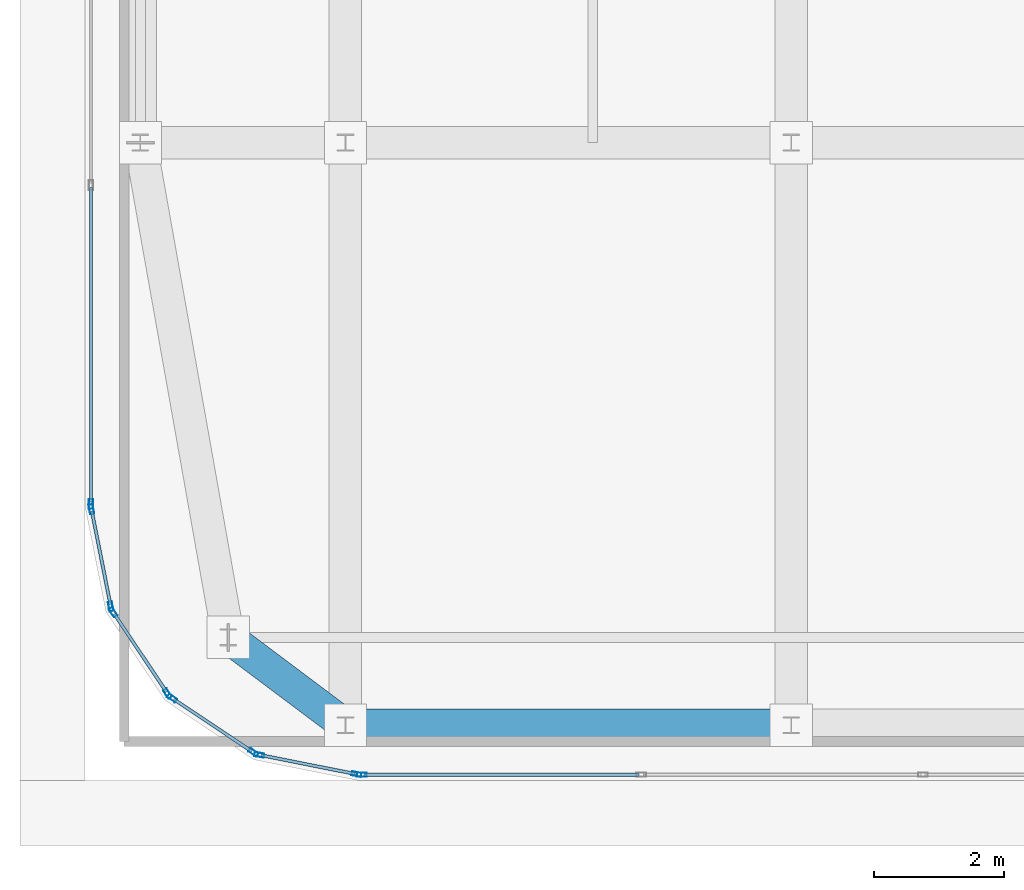
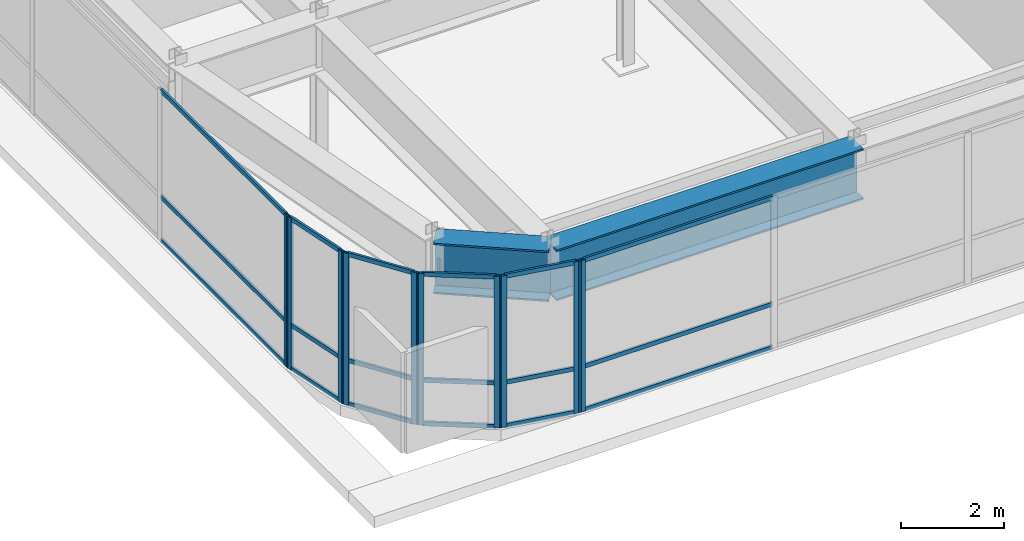
# One storey, part 5 of 35: 28 members, 2 beams, 6 elements without a shape of their own.
"""IFC4 building model written with IfcOpenShell, lengths in metres."""

from ifc_helpers import new_model, si_unit, direction, frame, origin, origin_2d, place, context, subcontext, project, spatial, hollow_rectangle, i_section, extrude, source, transform, mapped, material, layer, layer_set, material_profile, profile_set, type_object, type_shapes, element, aggregate, save


model = new_model("IFC4")

# Units and contexts
model_context = context("Model", 3, precision=1e-05, world=origin(), true_north=direction((0.0, 1.0)))
body_context = subcontext(model_context, "Body", "Model", "MODEL_VIEW")
ifc_project = project(units=[si_unit("LENGTHUNIT", "METRE"), si_unit("AREAUNIT", "SQUARE_METRE"), si_unit("VOLUMEUNIT", "CUBIC_METRE"), si_unit("PLANEANGLEUNIT", "RADIAN"), si_unit("MASSUNIT", "GRAM", prefix="KILO")], contexts=[model_context])

# Site, building, storey
site_placement = place(None, origin())
site = spatial("IfcSite", under=ifc_project, at=site_placement, CompositionType="ELEMENT")
building_placement = place(site_placement, origin())
building = spatial("IfcBuilding", under=site, at=building_placement, Name="Tolvann Quenvar Hotel", CompositionType="ELEMENT")
storey_placement = place(building_placement, frame((0.0, 0.0, 290.949951171875)))
storey = spatial("IfcBuildingStorey", under=building, at=storey_placement, Name="L77", CompositionType="ELEMENT", Elevation=290.949951171875)

# Beams
ifc_material_1 = material(Name="Steel Grade 350", Category="steel")
ifc_material_profile_1 = material_profile(ifc_material_1, i_section(OverallWidth=0.5, OverallDepth=1.199951171875, WebThickness=0.01611328125, FlangeThickness=0.0400390625, at=origin_2d()), Name="1200WB455")
ifc_profile_set_1 = profile_set([ifc_material_profile_1], Name="Steel Grade 350")
beam_type = type_object("IfcBeamType", Name="BM_TG_1200WB455", PredefinedType="USERDEFINED", material=ifc_profile_set_1)
shared_shape_1 = source(origin(), body_context, "Body", "SweptSolid", [
    extrude(i_section(OverallWidth=0.5, OverallDepth=1.199951171875, WebThickness=0.01611328125, FlangeThickness=0.0400390625, at=origin_2d()), origin(), (0.0, 0.0, 1.0), 6.849853515625),
])
beam_1_placement = place(storey_placement, frame((7.60009765625, 7.050048828125, 2.97998046875), z_axis=(1.0, 0.0, 0.0), x_axis=(0.0, 1.0, 0.0)))
element("IfcBeam", 1, at=beam_1_placement, inside=storey, type_object=beam_type, Name="BM-L77-EW-2-C2-D2", ObjectType="TRANSFER GIRDER", PredefinedType="USERDEFINED", context=body_context, shape_type="MappedRepresentation", body=[
    mapped(shared_shape_1, transform((0.0, 0.0, 0.0), x_axis=(1.0, 0.0, 0.0), y_axis=(0.0, 1.0, 0.0), z_axis=(0.0, 0.0, 1.0), scale=1.0)),
])
shared_shape_2 = source(origin(), body_context, "Body", "SweptSolid", [
    extrude(i_section(OverallWidth=0.5, OverallDepth=1.199951171875, WebThickness=0.01611328125, FlangeThickness=0.0400390625, at=origin_2d()), origin(), (0.0, 0.0, 1.0), 2.25),
])
type_shapes(beam_type, [shared_shape_1, shared_shape_2])
beam_2_placement = place(storey_placement, frame((5.800048828125, 8.39990234375, 2.97998046875), z_axis=(0.800039061652, -0.599947914265, 0.0), x_axis=(0.599947914265, 0.800039061652, 0.0)))
element("IfcBeam", 2, at=beam_2_placement, inside=storey, type_object=beam_type, Name="BM-L77-EW-2-B2-C2", ObjectType="TRANSFER GIRDER", PredefinedType="USERDEFINED", context=body_context, shape_type="MappedRepresentation", body=[
    mapped(shared_shape_2, transform((0.0, 0.0, 0.0), x_axis=(1.0, 0.0, 0.0), y_axis=(0.0, 1.0, 0.0), z_axis=(0.0, 0.0, 1.0), scale=1.0)),
])

# Curtain wall, members
ifc_material_2 = material(Name="Thermally broken anodised architectural aluminium 6063-T6 and laminated low-E glass", Category="aluminium")
ifc_layer = layer(ifc_material_2, 0.179931640625)
ifc_layer_set = layer_set([ifc_layer], Name="Thermally broken anodised architectural aluminium 6063-T6 and laminated low-E glass")
curtain_wall_type = type_object("IfcCurtainWallType", Name="CW_SYS_LANT_06", PredefinedType="USERDEFINED", material=ifc_layer_set)
curtain_wall_1_placement = place(storey_placement, origin())
curtain_wall_1 = element("IfcCurtainWall", 3, at=curtain_wall_1_placement, inside=storey, type_object=curtain_wall_type, Name="Curtain Wall CW-LANT-06 (CWR-L77-E01)", ObjectType="UNITISED CURTAIN WALL", PredefinedType="USERDEFINED")
ifc_material_3 = material(Name="Anodised architectural aluminium 6063-T6 framing", Category="aluminium")
ifc_material_profile_2 = material_profile(ifc_material_3, hollow_rectangle(XDim=0.06494140625, YDim=0.14990234375, WallThickness=0.00390625, at=origin_2d()), Name="150x65x4RHS")
ifc_profile_set_2 = profile_set([ifc_material_profile_2], Name="Anodised architectural aluminium 6063-T6 framing")
member_type_1 = type_object("IfcMemberType", Name="CW_MULL_150x65", PredefinedType="MULLION", material=ifc_profile_set_2)
shared_shape_3 = source(origin(), body_context, "Body", "SweptSolid", [
    extrude(hollow_rectangle(XDim=0.06494140625, YDim=0.14990234375, WallThickness=0.00390625, at=origin_2d()), origin(), (0.0, 0.0, 1.0), 3.580078125),
])
type_shapes(member_type_1, [shared_shape_3])
member_1_placement = place(storey_placement, frame((4.03173828125, 8.786865234375, 0.0), z_axis=(0.0, 0.0, 1.0), x_axis=(0.831412452193, 0.555655769644, 0.0)))
member_1 = element("IfcMember", 4, at=member_1_placement, type_object=member_type_1, Name="CW-LANT-06 mullion 1", PredefinedType="MULLION", context=body_context, shape_type="MappedRepresentation", body=[
    mapped(shared_shape_3, transform((0.0, 0.0, 0.0), x_axis=(1.0, 0.0, 0.0), y_axis=(0.0, 1.0, 0.0), z_axis=(0.0, 0.0, 1.0), scale=1.0)),
])
member_2_placement = place(storey_placement, frame((4.86767578125, 7.5361328125, 0.0), z_axis=(0.0, 0.0, 1.0), x_axis=(0.831412452193, 0.555655769644, 0.0)))
member_2 = element("IfcMember", 5, at=member_2_placement, type_object=member_type_1, Name="CW-LANT-06 mullion 2", PredefinedType="MULLION", context=body_context, shape_type="MappedRepresentation", body=[
    mapped(shared_shape_3, transform((0.0, 0.0, 0.0), x_axis=(1.0, 0.0, 0.0), y_axis=(0.0, 1.0, 0.0), z_axis=(0.0, 0.0, 1.0), scale=1.0)),
])

curtain_wall_2_placement = place(storey_placement, origin())
curtain_wall_2 = element("IfcCurtainWall", 6, at=curtain_wall_2_placement, inside=storey, type_object=curtain_wall_type, Name="Curtain Wall CW-LANT-06 (CWR-L77-E02)", ObjectType="UNITISED CURTAIN WALL", PredefinedType="USERDEFINED")
member_3_placement = place(storey_placement, frame((4.936279296875, 7.467529296875, 0.0), z_axis=(0.0, 0.0, 1.0), x_axis=(0.555655769644, 0.831412452193, 0.0)))
member_3 = element("IfcMember", 7, at=member_3_placement, type_object=member_type_1, Name="CW-LANT-06 mullion 1", PredefinedType="MULLION", context=body_context, shape_type="MappedRepresentation", body=[
    mapped(shared_shape_3, transform((0.0, 0.0, 0.0), x_axis=(1.0, 0.0, 0.0), y_axis=(0.0, 1.0, 0.0), z_axis=(0.0, 0.0, 1.0), scale=1.0)),
])
member_4_placement = place(storey_placement, frame((6.186767578125, 6.6318359375, 0.0), z_axis=(0.0, 0.0, 1.0), x_axis=(0.555655769644, 0.831412452193, 0.0)))
member_4 = element("IfcMember", 8, at=member_4_placement, type_object=member_type_1, Name="CW-LANT-06 mullion 2", PredefinedType="MULLION", context=body_context, shape_type="MappedRepresentation", body=[
    mapped(shared_shape_3, transform((0.0, 0.0, 0.0), x_axis=(1.0, 0.0, 0.0), y_axis=(0.0, 1.0, 0.0), z_axis=(0.0, 0.0, 1.0), scale=1.0)),
])

curtain_wall_3_placement = place(storey_placement, origin())
curtain_wall_3 = element("IfcCurtainWall", 9, at=curtain_wall_3_placement, inside=storey, type_object=curtain_wall_type, Name="Curtain Wall CW-LANT-06 (CWR-L77-E03)", ObjectType="UNITISED CURTAIN WALL", PredefinedType="USERDEFINED")
member_5_placement = place(storey_placement, frame((6.2763671875, 6.5947265625, 0.0), z_axis=(0.0, 0.0, 1.0), x_axis=(0.195061569369, 0.980790999222, 0.0)))
member_5 = element("IfcMember", 10, at=member_5_placement, type_object=member_type_1, Name="CW-LANT-06 mullion 1", PredefinedType="MULLION", context=body_context, shape_type="MappedRepresentation", body=[
    mapped(shared_shape_3, transform((0.0, 0.0, 0.0), x_axis=(1.0, 0.0, 0.0), y_axis=(0.0, 1.0, 0.0), z_axis=(0.0, 0.0, 1.0), scale=1.0)),
])
member_6_placement = place(storey_placement, frame((7.768798828125, 6.2978515625, 0.0), z_axis=(0.0, 0.0, 1.0), x_axis=(0.195061569369, 0.980790999222, 0.0)))
member_6 = element("IfcMember", 11, at=member_6_placement, type_object=member_type_1, Name="CW-LANT-06 mullion 2", PredefinedType="MULLION", context=body_context, shape_type="MappedRepresentation", body=[
    mapped(shared_shape_3, transform((0.0, 0.0, 0.0), x_axis=(1.0, 0.0, 0.0), y_axis=(0.0, 1.0, 0.0), z_axis=(0.0, 0.0, 1.0), scale=1.0)),
])

# Curtain wall, member
curtain_wall_4_placement = place(storey_placement, origin())
curtain_wall_4 = element("IfcCurtainWall", 12, at=curtain_wall_4_placement, inside=storey, type_object=curtain_wall_type, Name="Curtain Wall CW-LANT-06 (CWR-L77-E04)", ObjectType="UNITISED CURTAIN WALL", PredefinedType="USERDEFINED")
member_7_placement = place(storey_placement, frame((7.849609375, 6.2900390625, 0.0), z_axis=(0.0, 0.0, 1.0), x_axis=(0.0, 1.0, 0.0)))
member_7 = element("IfcMember", 13, at=member_7_placement, type_object=member_type_1, Name="CW-LANT-06 mullion 1", PredefinedType="MULLION", context=body_context, shape_type="MappedRepresentation", body=[
    mapped(shared_shape_3, transform((0.0, 0.0, 0.0), x_axis=(1.0, 0.0, 0.0), y_axis=(0.0, 1.0, 0.0), z_axis=(0.0, 0.0, 1.0), scale=1.0)),
])

curtain_wall_5_placement = place(storey_placement, origin())
curtain_wall_5 = element("IfcCurtainWall", 14, at=curtain_wall_5_placement, inside=storey, type_object=curtain_wall_type, Name="Curtain Wall CW-LANT-06 (CWR-L77-E19)", ObjectType="UNITISED CURTAIN WALL", PredefinedType="USERDEFINED")
member_8_placement = place(storey_placement, frame((3.68994140625, 10.44970703125, 0.0), z_axis=(0.0, 0.0, 1.0), x_axis=(1.0, 0.0, 0.0)))
member_8 = element("IfcMember", 15, at=member_8_placement, type_object=member_type_1, Name="CW-LANT-06 mullion 7", PredefinedType="MULLION", context=body_context, shape_type="MappedRepresentation", body=[
    mapped(shared_shape_3, transform((0.0, 0.0, 0.0), x_axis=(1.0, 0.0, 0.0), y_axis=(0.0, 1.0, 0.0), z_axis=(0.0, 0.0, 1.0), scale=1.0)),
])

# Curtain wall, members
curtain_wall_6_placement = place(storey_placement, origin())
curtain_wall_6 = element("IfcCurtainWall", 16, at=curtain_wall_6_placement, inside=storey, type_object=curtain_wall_type, Name="Curtain Wall CW-LANT-06 (CWR-L77-E20)", ObjectType="UNITISED CURTAIN WALL", PredefinedType="USERDEFINED")
member_9_placement = place(storey_placement, frame((3.697998046875, 10.36865234375, 0.0), z_axis=(0.0, 0.0, 1.0), x_axis=(0.980790999222, 0.195061569369, 0.0)))
member_9 = element("IfcMember", 17, at=member_9_placement, type_object=member_type_1, Name="CW-LANT-06 mullion 1", PredefinedType="MULLION", context=body_context, shape_type="MappedRepresentation", body=[
    mapped(shared_shape_3, transform((0.0, 0.0, 0.0), x_axis=(1.0, 0.0, 0.0), y_axis=(0.0, 1.0, 0.0), z_axis=(0.0, 0.0, 1.0), scale=1.0)),
])
member_10_placement = place(storey_placement, frame((3.994873046875, 8.876220703125, 0.0), z_axis=(0.0, 0.0, 1.0), x_axis=(0.980790999222, 0.195061569369, 0.0)))
member_10 = element("IfcMember", 18, at=member_10_placement, type_object=member_type_1, Name="CW-LANT-06 mullion 2", PredefinedType="MULLION", context=body_context, shape_type="MappedRepresentation", body=[
    mapped(shared_shape_3, transform((0.0, 0.0, 0.0), x_axis=(1.0, 0.0, 0.0), y_axis=(0.0, 1.0, 0.0), z_axis=(0.0, 0.0, 1.0), scale=1.0)),
])

# Member
ifc_material_profile_3 = material_profile(ifc_material_3, hollow_rectangle(XDim=0.050048828125, YDim=0.10009765625, WallThickness=0.0029296875, at=origin_2d()), Name="100x50x3RHS")
ifc_profile_set_3 = profile_set([ifc_material_profile_3], Name="Anodised architectural aluminium 6063-T6 framing")
member_type_2 = type_object("IfcMemberType", Name="CW_TRAN_100x50", PredefinedType="USERDEFINED", material=ifc_profile_set_3)
shared_shape_4 = source(origin(), body_context, "Body", "SweptSolid", [
    extrude(hollow_rectangle(XDim=0.050048828125, YDim=0.10009765625, WallThickness=0.0029296875, at=origin_2d()), origin(), (0.0, 0.0, 1.0), 1.439208984375),
])
member_11_placement = place(storey_placement, frame((4.0498046875, 8.759765625, 0.025146484375), z_axis=(0.555717578985, -0.831371139989, 0.0), x_axis=(0.831371139989, 0.555717578985, 0.0)))
member_11 = element("IfcMember", 19, at=member_11_placement, type_object=member_type_2, Name="CW-LANT-06 transom 1.1", ObjectType="TRANSOM", PredefinedType="USERDEFINED", context=body_context, shape_type="MappedRepresentation", body=[
    mapped(shared_shape_4, transform((0.0, 0.0, 0.0), x_axis=(1.0, 0.0, 0.0), y_axis=(0.0, 1.0, 0.0), z_axis=(0.0, 0.0, 1.0), scale=1.0)),
])

member_12_placement = place(storey_placement, frame((4.0498046875, 8.759765625, 1.050048828125), z_axis=(0.555717578985, -0.831371139989, 0.0), x_axis=(0.831371139989, 0.555717578985, 0.0)))
member_12 = element("IfcMember", 20, at=member_12_placement, type_object=member_type_2, Name="CW-LANT-06 transom 1.2", ObjectType="TRANSOM", PredefinedType="USERDEFINED", context=body_context, shape_type="MappedRepresentation", body=[
    mapped(shared_shape_4, transform((0.0, 0.0, 0.0), x_axis=(1.0, 0.0, 0.0), y_axis=(0.0, 1.0, 0.0), z_axis=(0.0, 0.0, 1.0), scale=1.0)),
])

member_13_placement = place(storey_placement, frame((4.0498046875, 8.759765625, 3.554931640625), z_axis=(0.555717578985, -0.831371139989, 0.0), x_axis=(0.831371139989, 0.555717578985, 0.0)))
member_13 = element("IfcMember", 21, at=member_13_placement, type_object=member_type_2, Name="CW-LANT-06 transom 1.3", ObjectType="TRANSOM", PredefinedType="USERDEFINED", context=body_context, shape_type="MappedRepresentation", body=[
    mapped(shared_shape_4, transform((0.0, 0.0, 0.0), x_axis=(1.0, 0.0, 0.0), y_axis=(0.0, 1.0, 0.0), z_axis=(0.0, 0.0, 1.0), scale=1.0)),
])

aggregate(curtain_wall_1, [member_1, member_2, member_11, member_12, member_13])

member_14_placement = place(storey_placement, frame((4.963134765625, 7.449462890625, 0.025146484375), z_axis=(0.831449510818, -0.555600315839, 0.0), x_axis=(0.555600315839, 0.831449510818, 0.0)))
member_14 = element("IfcMember", 22, at=member_14_placement, type_object=member_type_2, Name="CW-LANT-06 transom 1.1", ObjectType="TRANSOM", PredefinedType="USERDEFINED", context=body_context, shape_type="MappedRepresentation", body=[
    mapped(shared_shape_4, transform((0.0, 0.0, 0.0), x_axis=(1.0, 0.0, 0.0), y_axis=(0.0, 1.0, 0.0), z_axis=(0.0, 0.0, 1.0), scale=1.0)),
])

member_15_placement = place(storey_placement, frame((4.963134765625, 7.449462890625, 1.050048828125), z_axis=(0.831449510818, -0.555600315839, 0.0), x_axis=(0.555600315839, 0.831449510818, 0.0)))
member_15 = element("IfcMember", 23, at=member_15_placement, type_object=member_type_2, Name="CW-LANT-06 transom 1.2", ObjectType="TRANSOM", PredefinedType="USERDEFINED", context=body_context, shape_type="MappedRepresentation", body=[
    mapped(shared_shape_4, transform((0.0, 0.0, 0.0), x_axis=(1.0, 0.0, 0.0), y_axis=(0.0, 1.0, 0.0), z_axis=(0.0, 0.0, 1.0), scale=1.0)),
])

member_16_placement = place(storey_placement, frame((4.963134765625, 7.449462890625, 3.554931640625), z_axis=(0.831449510818, -0.555600315839, 0.0), x_axis=(0.555600315839, 0.831449510818, 0.0)))
member_16 = element("IfcMember", 24, at=member_16_placement, type_object=member_type_2, Name="CW-LANT-06 transom 1.3", ObjectType="TRANSOM", PredefinedType="USERDEFINED", context=body_context, shape_type="MappedRepresentation", body=[
    mapped(shared_shape_4, transform((0.0, 0.0, 0.0), x_axis=(1.0, 0.0, 0.0), y_axis=(0.0, 1.0, 0.0), z_axis=(0.0, 0.0, 1.0), scale=1.0)),
])

aggregate(curtain_wall_2, [member_3, member_4, member_14, member_15, member_16])

shared_shape_5 = source(origin(), body_context, "Body", "SweptSolid", [
    extrude(hollow_rectangle(XDim=0.050048828125, YDim=0.10009765625, WallThickness=0.0029296875, at=origin_2d()), origin(), (0.0, 0.0, 1.0), 1.456787109375),
])
member_17_placement = place(storey_placement, frame((6.30810546875, 6.58837890625, 0.025146484375), z_axis=(0.980786408364, -0.195084651288, 0.0), x_axis=(0.195084651288, 0.980786408364, 0.0)))
member_17 = element("IfcMember", 25, at=member_17_placement, type_object=member_type_2, Name="CW-LANT-06 transom 1.1", ObjectType="TRANSOM", PredefinedType="USERDEFINED", context=body_context, shape_type="MappedRepresentation", body=[
    mapped(shared_shape_5, transform((0.0, 0.0, 0.0), x_axis=(1.0, 0.0, 0.0), y_axis=(0.0, 1.0, 0.0), z_axis=(0.0, 0.0, 1.0), scale=1.0)),
])

member_18_placement = place(storey_placement, frame((6.30810546875, 6.58837890625, 1.050048828125), z_axis=(0.980786408364, -0.195084651288, 0.0), x_axis=(0.195084651288, 0.980786408364, 0.0)))
member_18 = element("IfcMember", 26, at=member_18_placement, type_object=member_type_2, Name="CW-LANT-06 transom 1.2", ObjectType="TRANSOM", PredefinedType="USERDEFINED", context=body_context, shape_type="MappedRepresentation", body=[
    mapped(shared_shape_5, transform((0.0, 0.0, 0.0), x_axis=(1.0, 0.0, 0.0), y_axis=(0.0, 1.0, 0.0), z_axis=(0.0, 0.0, 1.0), scale=1.0)),
])

member_19_placement = place(storey_placement, frame((6.30810546875, 6.58837890625, 3.554931640625), z_axis=(0.980786408364, -0.195084651288, 0.0), x_axis=(0.195084651288, 0.980786408364, 0.0)))
member_19 = element("IfcMember", 27, at=member_19_placement, type_object=member_type_2, Name="CW-LANT-06 transom 1.3", ObjectType="TRANSOM", PredefinedType="USERDEFINED", context=body_context, shape_type="MappedRepresentation", body=[
    mapped(shared_shape_5, transform((0.0, 0.0, 0.0), x_axis=(1.0, 0.0, 0.0), y_axis=(0.0, 1.0, 0.0), z_axis=(0.0, 0.0, 1.0), scale=1.0)),
])

aggregate(curtain_wall_3, [member_5, member_6, member_17, member_18, member_19])

member_20_placement = place(storey_placement, frame((3.704345703125, 10.3369140625, 0.025146484375), z_axis=(0.195084651288, -0.980786408364, 0.0), x_axis=(0.980786408364, 0.195084651288, 0.0)))
member_20 = element("IfcMember", 28, at=member_20_placement, type_object=member_type_2, Name="CW-LANT-06 transom 1.1", ObjectType="TRANSOM", PredefinedType="USERDEFINED", context=body_context, shape_type="MappedRepresentation", body=[
    mapped(shared_shape_5, transform((0.0, 0.0, 0.0), x_axis=(1.0, 0.0, 0.0), y_axis=(0.0, 1.0, 0.0), z_axis=(0.0, 0.0, 1.0), scale=1.0)),
])

member_21_placement = place(storey_placement, frame((3.704345703125, 10.3369140625, 1.050048828125), z_axis=(0.195084651288, -0.980786408364, 0.0), x_axis=(0.980786408364, 0.195084651288, 0.0)))
member_21 = element("IfcMember", 29, at=member_21_placement, type_object=member_type_2, Name="CW-LANT-06 transom 1.2", ObjectType="TRANSOM", PredefinedType="USERDEFINED", context=body_context, shape_type="MappedRepresentation", body=[
    mapped(shared_shape_5, transform((0.0, 0.0, 0.0), x_axis=(1.0, 0.0, 0.0), y_axis=(0.0, 1.0, 0.0), z_axis=(0.0, 0.0, 1.0), scale=1.0)),
])

member_22_placement = place(storey_placement, frame((3.704345703125, 10.3369140625, 3.554931640625), z_axis=(0.195084651288, -0.980786408364, 0.0), x_axis=(0.980786408364, 0.195084651288, 0.0)))
member_22 = element("IfcMember", 30, at=member_22_placement, type_object=member_type_2, Name="CW-LANT-06 transom 1.3", ObjectType="TRANSOM", PredefinedType="USERDEFINED", context=body_context, shape_type="MappedRepresentation", body=[
    mapped(shared_shape_5, transform((0.0, 0.0, 0.0), x_axis=(1.0, 0.0, 0.0), y_axis=(0.0, 1.0, 0.0), z_axis=(0.0, 0.0, 1.0), scale=1.0)),
])

aggregate(curtain_wall_6, [member_9, member_10, member_20, member_21, member_22])

shared_shape_6 = source(origin(), body_context, "Body", "SweptSolid", [
    extrude(hollow_rectangle(XDim=0.050048828125, YDim=0.10009765625, WallThickness=0.0029296875, at=origin_2d()), origin(), (0.0, 0.0, 1.0), 4.230224609375),
])
member_23_placement = place(storey_placement, frame((7.882080078125, 6.2900390625, 0.025146484375), z_axis=(1.0, 0.0, 0.0), x_axis=(0.0, 1.0, 0.0)))
member_23 = element("IfcMember", 31, at=member_23_placement, type_object=member_type_2, Name="CW-LANT-06 transom 1.1", ObjectType="TRANSOM", PredefinedType="USERDEFINED", context=body_context, shape_type="MappedRepresentation", body=[
    mapped(shared_shape_6, transform((0.0, 0.0, 0.0), x_axis=(1.0, 0.0, 0.0), y_axis=(0.0, 1.0, 0.0), z_axis=(0.0, 0.0, 1.0), scale=1.0)),
])

member_24_placement = place(storey_placement, frame((7.882080078125, 6.2900390625, 1.050048828125), z_axis=(1.0, 0.0, 0.0), x_axis=(0.0, 1.0, 0.0)))
member_24 = element("IfcMember", 32, at=member_24_placement, type_object=member_type_2, Name="CW-LANT-06 transom 1.2", ObjectType="TRANSOM", PredefinedType="USERDEFINED", context=body_context, shape_type="MappedRepresentation", body=[
    mapped(shared_shape_6, transform((0.0, 0.0, 0.0), x_axis=(1.0, 0.0, 0.0), y_axis=(0.0, 1.0, 0.0), z_axis=(0.0, 0.0, 1.0), scale=1.0)),
])

member_25_placement = place(storey_placement, frame((7.882080078125, 6.2900390625, 3.554931640625), z_axis=(1.0, 0.0, 0.0), x_axis=(0.0, 1.0, 0.0)))
member_25 = element("IfcMember", 33, at=member_25_placement, type_object=member_type_2, Name="CW-LANT-06 transom 1.3", ObjectType="TRANSOM", PredefinedType="USERDEFINED", context=body_context, shape_type="MappedRepresentation", body=[
    mapped(shared_shape_6, transform((0.0, 0.0, 0.0), x_axis=(1.0, 0.0, 0.0), y_axis=(0.0, 1.0, 0.0), z_axis=(0.0, 0.0, 1.0), scale=1.0)),
])

aggregate(curtain_wall_4, [member_7, member_23, member_24, member_25])

shared_shape_7 = source(origin(), body_context, "Body", "SweptSolid", [
    extrude(hollow_rectangle(XDim=0.050048828125, YDim=0.10009765625, WallThickness=0.0029296875, at=origin_2d()), origin(), (0.0, 0.0, 1.0), 4.830078125),
])
type_shapes(member_type_2, [shared_shape_4, shared_shape_5, shared_shape_6, shared_shape_7])
member_26_placement = place(storey_placement, frame((3.68994140625, 15.312255859375, 0.025146484375), z_axis=(0.0, -1.0, 0.0), x_axis=(1.0, 0.0, 0.0)))
member_26 = element("IfcMember", 34, at=member_26_placement, type_object=member_type_2, Name="CW-LANT-06 transom 6.1", ObjectType="TRANSOM", PredefinedType="USERDEFINED", context=body_context, shape_type="MappedRepresentation", body=[
    mapped(shared_shape_7, transform((0.0, 0.0, 0.0), x_axis=(1.0, 0.0, 0.0), y_axis=(0.0, 1.0, 0.0), z_axis=(0.0, 0.0, 1.0), scale=1.0)),
])

member_27_placement = place(storey_placement, frame((3.68994140625, 15.312255859375, 1.050048828125), z_axis=(0.0, -1.0, 0.0), x_axis=(1.0, 0.0, 0.0)))
member_27 = element("IfcMember", 35, at=member_27_placement, type_object=member_type_2, Name="CW-LANT-06 transom 6.2", ObjectType="TRANSOM", PredefinedType="USERDEFINED", context=body_context, shape_type="MappedRepresentation", body=[
    mapped(shared_shape_7, transform((0.0, 0.0, 0.0), x_axis=(1.0, 0.0, 0.0), y_axis=(0.0, 1.0, 0.0), z_axis=(0.0, 0.0, 1.0), scale=1.0)),
])

member_28_placement = place(storey_placement, frame((3.68994140625, 15.312255859375, 3.554931640625), z_axis=(0.0, -1.0, 0.0), x_axis=(1.0, 0.0, 0.0)))
member_28 = element("IfcMember", 36, at=member_28_placement, type_object=member_type_2, Name="CW-LANT-06 transom 6.3", ObjectType="TRANSOM", PredefinedType="USERDEFINED", context=body_context, shape_type="MappedRepresentation", body=[
    mapped(shared_shape_7, transform((0.0, 0.0, 0.0), x_axis=(1.0, 0.0, 0.0), y_axis=(0.0, 1.0, 0.0), z_axis=(0.0, 0.0, 1.0), scale=1.0)),
])

aggregate(curtain_wall_5, [member_8, member_26, member_27, member_28])

save(model, "model.ifc")
